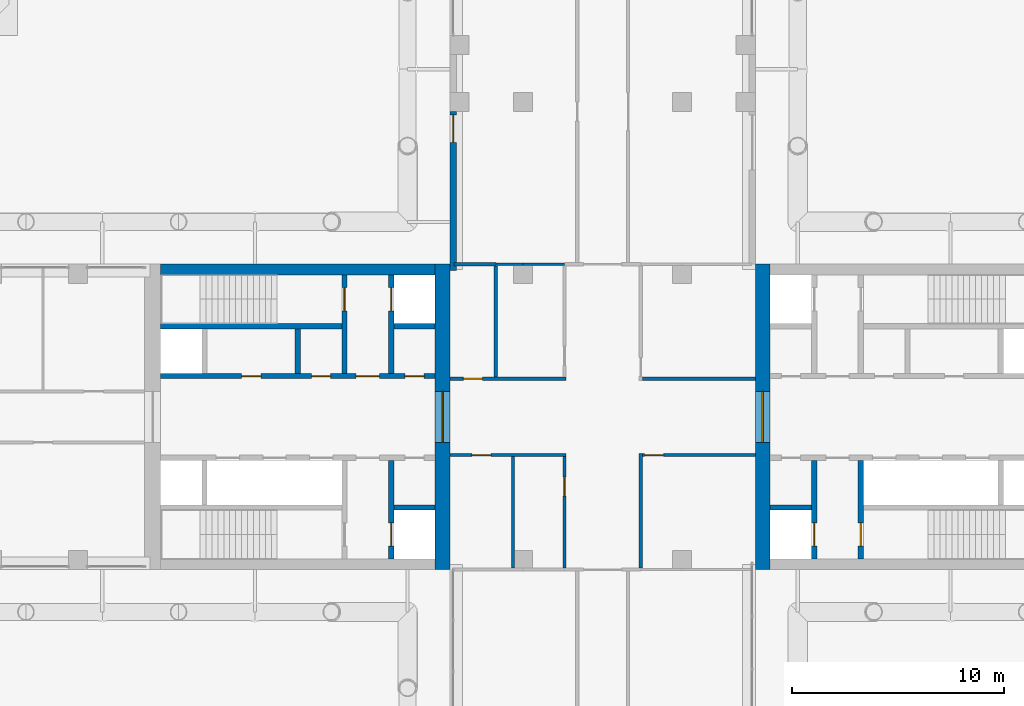
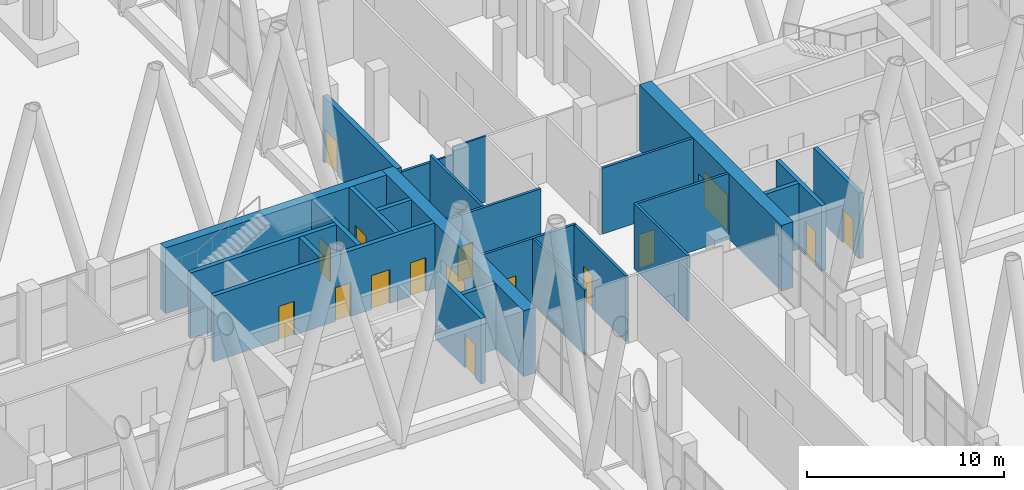
# One storey, part 21 of 31: 26 walls, 16 doors, 16 openings.
"""IFC4 building model written with IfcOpenShell, lengths in metres."""

from ifc_helpers import new_model, si_unit, direction, frame, frame_2d, origin, place, context, subcontext, project, spatial, rectangle, extrude, material, layer, layer_set, type_object, element, fill, save


model = new_model("IFC4")

# Units and contexts
model_context = context("Model", 3, precision=1e-05, world=origin(), true_north=direction((0.0, 1.0)))
body_context = subcontext(model_context, "Body", "Model", "MODEL_VIEW")
ifc_project = project(units=[si_unit("LENGTHUNIT", "METRE"), si_unit("AREAUNIT", "SQUARE_METRE"), si_unit("VOLUMEUNIT", "CUBIC_METRE"), si_unit("PLANEANGLEUNIT", "RADIAN"), si_unit("MASSUNIT", "GRAM", prefix="KILO")], contexts=[model_context])

# Site, building, storey
site_placement = place(None, origin())
site = spatial("IfcSite", under=ifc_project, at=site_placement, CompositionType="ELEMENT")
building_placement = place(site_placement, origin())
building = spatial("IfcBuilding", under=site, at=building_placement, Name="Fustian Cross Tower", CompositionType="ELEMENT")
storey_placement = place(building_placement, frame((0.0, 0.0, 7.199951171875)))
storey = spatial("IfcBuildingStorey", under=building, at=storey_placement, Name="L01", CompositionType="ELEMENT", Elevation=7.199951171875)

# Wall, opening, door
ifc_material_1 = material(Name="Plasterboard on steel stud", Category="steel")
ifc_layer_1 = layer(ifc_material_1, 0.14990234375)
ifc_layer_set_1 = layer_set([ifc_layer_1], Name="Plasterboard on steel stud")
wall_type_1 = type_object("IfcWallType", Name="COMPARTMENT WALL 150 EI 60", PredefinedType="PARTITIONING", material=ifc_layer_set_1)
wall_1_placement = place(storey_placement, frame((-7.199951171875, -1.800048828125, 0.0), z_axis=(0.0, 0.0, 1.0), x_axis=(1.0, 0.0, 0.0)))
wall_1 = element("IfcWall", 1, at=wall_1_placement, inside=storey, type_object=wall_type_1, Name="Partition 10", PredefinedType="PARTITIONING", context=body_context, shape_type="SweptSolid", body=[
    extrude(rectangle(XDim=5.474853515625, YDim=0.14990234375, at=frame_2d((2.7373046875, 0.0))), origin(), (0.0, 0.0, 1.0), 4.074951171875),
])
opening_1_placement = place(wall_1_placement, frame((1.034912109375, 0.0, 0.0)))
opening_1 = element("IfcOpeningElement", 2, at=opening_1_placement, cuts=wall_1, Name="Opening D03005", PredefinedType="OPENING", context=body_context, shape_type="SweptSolid", body=[
    extrude(rectangle(XDim=0.89990234375, YDim=2.10009765625, at=frame_2d((0.449951171875, 1.050048828125))), frame((0.0, 0.0849609375, 0.0), z_axis=(0.0, -1.0, 0.0), x_axis=(1.0, 0.0, 0.0)), (0.0, 0.0, 1.0), 0.169921875),
])
ifc_material_2 = material(Name="Timber fire door set", Category="wood")
door_type_1 = type_object("IfcDoorType", Name="FIRE SWING DOOR 900 FD30S", OperationType="SINGLE_SWING_LEFT", PredefinedType="DOOR", material=ifc_material_2)
door_1_placement = place(opening_1_placement, frame((0.89990234375, 0.0, 0.0), z_axis=(0.0, 0.0, 1.0), x_axis=(-1.0, 0.0, 0.0)))
door_1 = element("IfcDoor", 3, at=door_1_placement, inside=storey, type_object=door_type_1, Name="Door D03005", OperationType="SINGLE_SWING_LEFT", OverallHeight=2.10009765625, OverallWidth=0.89990234375, PredefinedType="DOOR", context=body_context, shape_type="SweptSolid", body=[
    extrude(rectangle(XDim=0.89990234375, YDim=2.10009765625, at=frame_2d((0.449951171875, 1.050048828125))), frame((0.0, 0.02490234375, 0.0), z_axis=(0.0, -1.0, 0.0), x_axis=(1.0, 0.0, 0.0)), (0.0, 0.0, 1.0), 0.050048828125),
])
fill(opening_1, door_1)

wall_2_placement = place(storey_placement, frame((-7.199951171875, 1.800048828125, 0.0), z_axis=(0.0, 0.0, 1.0), x_axis=(1.0, 0.0, 0.0)))
wall_2 = element("IfcWall", 4, at=wall_2_placement, inside=storey, type_object=wall_type_1, Name="Partition 11", PredefinedType="PARTITIONING", context=body_context, shape_type="SweptSolid", body=[
    extrude(rectangle(XDim=5.474853515625, YDim=0.14990234375, at=frame_2d((2.7373046875, 0.0))), origin(), (0.0, 0.0, 1.0), 4.074951171875),
])
opening_2_placement = place(wall_2_placement, frame((0.6298828125, 0.0, 0.0)))
opening_2 = element("IfcOpeningElement", 5, at=opening_2_placement, cuts=wall_2, Name="Opening D03003", PredefinedType="OPENING", context=body_context, shape_type="SweptSolid", body=[
    extrude(rectangle(XDim=0.89990234375, YDim=2.10009765625, at=frame_2d((0.449951171875, 1.050048828125))), frame((0.0, 0.0849609375, 0.0), z_axis=(0.0, -1.0, 0.0), x_axis=(1.0, 0.0, 0.0)), (0.0, 0.0, 1.0), 0.169921875),
])
door_2_placement = place(opening_2_placement, origin())
door_2 = element("IfcDoor", 6, at=door_2_placement, inside=storey, type_object=door_type_1, Name="Door D03003", OperationType="SINGLE_SWING_RIGHT", OverallHeight=2.10009765625, OverallWidth=0.89990234375, PredefinedType="DOOR", context=body_context, shape_type="SweptSolid", body=[
    extrude(rectangle(XDim=0.89990234375, YDim=2.10009765625, at=frame_2d((0.449951171875, 1.050048828125))), frame((0.0, 0.02490234375, 0.0), z_axis=(0.0, -1.0, 0.0), x_axis=(1.0, 0.0, 0.0)), (0.0, 0.0, 1.0), 0.050048828125),
])
fill(opening_2, door_2)

# Walls
wall_3_placement = place(storey_placement, frame((-7.02001953125, 7.199951171875, 0.0), z_axis=(0.0, 0.0, 1.0), x_axis=(1.0, 0.0, 0.0)))
element("IfcWall", 7, at=wall_3_placement, inside=storey, type_object=wall_type_1, Name="Partition 14", PredefinedType="PARTITIONING", context=body_context, shape_type="SweptSolid", body=[
    extrude(rectangle(XDim=1.97998046875, YDim=0.14990234375, at=frame_2d((0.989990234375, 0.0))), origin(), (0.0, 0.0, 1.0), 3.60009765625),
])
wall_4_placement = place(storey_placement, frame((-5.0400390625, 1.875, 0.0), z_axis=(0.0, 0.0, 1.0), x_axis=(0.0, 1.0, 0.0)))
element("IfcWall", 8, at=wall_4_placement, inside=storey, type_object=wall_type_1, Name="Partition 17", PredefinedType="PARTITIONING", context=body_context, shape_type="SweptSolid", body=[
    extrude(rectangle(XDim=5.25, YDim=0.14990234375, at=frame_2d((2.625, 0.0))), origin(), (0.0, 0.0, 1.0), 4.074951171875),
])

# Wall, opening, door
wall_5_placement = place(storey_placement, frame((-1.800048828125, -7.125, 0.0), z_axis=(0.0, 0.0, 1.0), x_axis=(0.0, 1.0, 0.0)))
wall_5 = element("IfcWall", 9, at=wall_5_placement, inside=storey, type_object=wall_type_1, Name="Partition 20", PredefinedType="PARTITIONING", context=body_context, shape_type="SweptSolid", body=[
    extrude(rectangle(XDim=5.25, YDim=0.14990234375, at=frame_2d((2.625, 0.0))), origin(), (0.0, 0.0, 1.0), 4.074951171875),
])
opening_3_placement = place(wall_5_placement, frame((3.389892578125, 0.0, 0.0)))
opening_3 = element("IfcOpeningElement", 10, at=opening_3_placement, cuts=wall_5, Name="Opening D03004", PredefinedType="OPENING", context=body_context, shape_type="SweptSolid", body=[
    extrude(rectangle(XDim=0.89990234375, YDim=2.10009765625, at=frame_2d((0.449951171875, 1.050048828125))), frame((0.0, 0.0849609375, 0.0), z_axis=(0.0, -1.0, 0.0), x_axis=(1.0, 0.0, 0.0)), (0.0, 0.0, 1.0), 0.169921875),
])
door_3_placement = place(opening_3_placement, origin())
door_3 = element("IfcDoor", 11, at=door_3_placement, inside=storey, type_object=door_type_1, Name="Door D03004", OperationType="SINGLE_SWING_RIGHT", OverallHeight=2.10009765625, OverallWidth=0.89990234375, PredefinedType="DOOR", context=body_context, shape_type="SweptSolid", body=[
    extrude(rectangle(XDim=0.89990234375, YDim=2.10009765625, at=frame_2d((0.449951171875, 1.050048828125))), frame((0.0, 0.02490234375, 0.0), z_axis=(0.0, -1.0, 0.0), x_axis=(1.0, 0.0, 0.0)), (0.0, 0.0, 1.0), 0.050048828125),
])
fill(opening_3, door_3)

# Wall
wall_6_placement = place(storey_placement, frame((1.800048828125, -7.125, 0.0), z_axis=(0.0, 0.0, 1.0), x_axis=(0.0, 1.0, 0.0)))
element("IfcWall", 12, at=wall_6_placement, inside=storey, type_object=wall_type_1, Name="Partition 31", PredefinedType="PARTITIONING", context=body_context, shape_type="SweptSolid", body=[
    extrude(rectangle(XDim=5.39990234375, YDim=0.14990234375, at=frame_2d((2.699951171875, 0.0))), origin(), (0.0, 0.0, 1.0), 4.074951171875),
])

# Wall, opening, door
wall_7_placement = place(storey_placement, frame((1.875, -1.800048828125, 0.0), z_axis=(0.0, 0.0, 1.0), x_axis=(1.0, 0.0, 0.0)))
wall_7 = element("IfcWall", 13, at=wall_7_placement, inside=storey, type_object=wall_type_1, Name="Partition 33", PredefinedType="PARTITIONING", context=body_context, shape_type="SweptSolid", body=[
    extrude(rectangle(XDim=5.324951171875, YDim=0.14990234375, at=frame_2d((2.66259765625, 0.0))), origin(), (0.0, 0.0, 1.0), 4.074951171875),
])
opening_4_placement = place(wall_7_placement, frame((0.10009765625, 0.0, 0.0)))
opening_4 = element("IfcOpeningElement", 14, at=opening_4_placement, cuts=wall_7, Name="Opening D03006", PredefinedType="OPENING", context=body_context, shape_type="SweptSolid", body=[
    extrude(rectangle(XDim=0.89990234375, YDim=2.10009765625, at=frame_2d((0.449951171875, 1.050048828125))), frame((0.0, 0.0849609375, 0.0), z_axis=(0.0, -1.0, 0.0), x_axis=(1.0, 0.0, 0.0)), (0.0, 0.0, 1.0), 0.169921875),
])
door_4_placement = place(opening_4_placement, frame((0.89990234375, 0.0, 0.0), z_axis=(0.0, 0.0, 1.0), x_axis=(-1.0, 0.0, 0.0)))
door_4 = element("IfcDoor", 15, at=door_4_placement, inside=storey, type_object=door_type_1, Name="Door D03006", OperationType="SINGLE_SWING_RIGHT", OverallHeight=2.10009765625, OverallWidth=0.89990234375, PredefinedType="DOOR", context=body_context, shape_type="SweptSolid", body=[
    extrude(rectangle(XDim=0.89990234375, YDim=2.10009765625, at=frame_2d((0.449951171875, 1.050048828125))), frame((0.0, 0.02490234375, 0.0), z_axis=(0.0, -1.0, 0.0), x_axis=(1.0, 0.0, 0.0)), (0.0, 0.0, 1.0), 0.050048828125),
])
fill(opening_4, door_4)

# Wall
wall_8_placement = place(storey_placement, frame((1.875, 1.800048828125, 0.0), z_axis=(0.0, 0.0, 1.0), x_axis=(1.0, 0.0, 0.0)))
element("IfcWall", 16, at=wall_8_placement, inside=storey, type_object=wall_type_1, Name="Partition 35", PredefinedType="PARTITIONING", context=body_context, shape_type="SweptSolid", body=[
    extrude(rectangle(XDim=5.324951171875, YDim=0.14990234375, at=frame_2d((2.66259765625, 0.0))), origin(), (0.0, 0.0, 1.0), 4.074951171875),
])

# Wall, opening, door
ifc_material_3 = material(Name="Concrete C80/95", Category="concrete")
ifc_layer_2 = layer(ifc_material_3, 0.699951171875)
ifc_layer_set_2 = layer_set([ifc_layer_2], Name="Concrete C80/95")
wall_type_2 = type_object("IfcWallType", Name="CORE END WALL 700 C80/95", PredefinedType="SHEAR", material=ifc_layer_set_2)
wall_9_placement = place(storey_placement, frame((7.550048828125, -7.199951171875, 0.0), z_axis=(0.0, 0.0, 1.0), x_axis=(0.0, 1.0, 0.0)))
wall_9 = element("IfcWall", 17, at=wall_9_placement, inside=storey, type_object=wall_type_2, Name="Core end wall", PredefinedType="SHEAR", context=body_context, shape_type="SweptSolid", body=[
    extrude(rectangle(XDim=14.39990234375, YDim=0.699951171875, at=frame_2d((7.199951171875, 0.0))), origin(), (0.0, 0.0, 1.0), 4.074951171875),
])
opening_5_placement = place(wall_9_placement, frame((6.0, 0.0, 0.0)))
opening_5 = element("IfcOpeningElement", 18, at=opening_5_placement, cuts=wall_9, Name="Opening CD-03-12", PredefinedType="OPENING", context=body_context, shape_type="SweptSolid", body=[
    extrude(rectangle(XDim=2.39990234375, YDim=2.199951171875, at=frame_2d((1.199951171875, 1.10009765625))), frame((0.0, 0.35986328125, 0.0), z_axis=(0.0, -1.0, 0.0), x_axis=(1.0, 0.0, 0.0)), (0.0, 0.0, 1.0), 0.719970703125),
])
ifc_material_4 = material(Name="Steel", Category="steel")
door_type_2 = type_object("IfcDoorType", Name="FIRE DOOR FD30S DOUBLE 2400X2200", OperationType="DOUBLE_DOOR_DOUBLE_SWING", PredefinedType="DOOR", material=ifc_material_4)
door_5_placement = place(opening_5_placement, origin())
door_5 = element("IfcDoor", 19, at=door_5_placement, inside=storey, type_object=door_type_2, Name="Core door CD-03-12", OperationType="DOUBLE_DOOR_DOUBLE_SWING", OverallHeight=2.199951171875, OverallWidth=2.39990234375, PredefinedType="DOOR", context=body_context, shape_type="SweptSolid", body=[
    extrude(rectangle(XDim=2.39990234375, YDim=2.199951171875, at=frame_2d((1.199951171875, 1.10009765625))), frame((0.0, 0.02490234375, 0.0), z_axis=(0.0, -1.0, 0.0), x_axis=(1.0, 0.0, 0.0)), (0.0, 0.0, 1.0), 0.050048828125),
])
fill(opening_5, door_5)

wall_10_placement = place(storey_placement, frame((-7.550048828125, -7.199951171875, 0.0), z_axis=(0.0, 0.0, 1.0), x_axis=(0.0, 1.0, 0.0)))
wall_10 = element("IfcWall", 20, at=wall_10_placement, inside=storey, type_object=wall_type_2, Name="Core end wall", PredefinedType="SHEAR", context=body_context, shape_type="SweptSolid", body=[
    extrude(rectangle(XDim=14.39990234375, YDim=0.699951171875, at=frame_2d((7.199951171875, 0.0))), origin(), (0.0, 0.0, 1.0), 4.074951171875),
])
opening_6_placement = place(wall_10_placement, frame((6.0, 0.0, 0.0)))
opening_6 = element("IfcOpeningElement", 21, at=opening_6_placement, cuts=wall_10, Name="Opening CD-03-27", PredefinedType="OPENING", context=body_context, shape_type="SweptSolid", body=[
    extrude(rectangle(XDim=2.39990234375, YDim=2.199951171875, at=frame_2d((1.199951171875, 1.10009765625))), frame((0.0, 0.35986328125, 0.0), z_axis=(0.0, -1.0, 0.0), x_axis=(1.0, 0.0, 0.0)), (0.0, 0.0, 1.0), 0.719970703125),
])
door_6_placement = place(opening_6_placement, origin())
door_6 = element("IfcDoor", 22, at=door_6_placement, inside=storey, type_object=door_type_2, Name="Core door CD-03-27", OperationType="DOUBLE_DOOR_DOUBLE_SWING", OverallHeight=2.199951171875, OverallWidth=2.39990234375, PredefinedType="DOOR", context=body_context, shape_type="SweptSolid", body=[
    extrude(rectangle(XDim=2.39990234375, YDim=2.199951171875, at=frame_2d((1.199951171875, 1.10009765625))), frame((0.0, 0.02490234375, 0.0), z_axis=(0.0, -1.0, 0.0), x_axis=(1.0, 0.0, 0.0)), (0.0, 0.0, 1.0), 0.050048828125),
])
fill(opening_6, door_6)

# Wall
ifc_material_5 = material(Name="Concrete C80/95", Category="concrete")
ifc_layer_3 = layer(ifc_material_5, 0.5)
ifc_layer_set_3 = layer_set([ifc_layer_3], Name="Concrete C80/95")
wall_type_3 = type_object("IfcWallType", Name="CORE FACADE WALL 500 C80/95", PredefinedType="SHEAR", material=ifc_layer_set_3)
wall_11_placement = place(storey_placement, frame((-7.89990234375, 6.949951171875, 0.0), z_axis=(0.0, 0.0, 1.0), x_axis=(-1.0, 0.0, 0.0)))
element("IfcWall", 23, at=wall_11_placement, inside=storey, type_object=wall_type_3, Name="Core facade wall", PredefinedType="SHEAR", context=body_context, shape_type="SweptSolid", body=[
    extrude(rectangle(XDim=12.9501953125, YDim=0.5, at=frame_2d((6.47509765625, 0.0))), origin(), (0.0, 0.0, 1.0), 4.074951171875),
])

# Wall, openings, doors
ifc_material_6 = material(Name="Concrete C50/60", Category="concrete")
ifc_layer_4 = layer(ifc_material_6, 0.25)
ifc_layer_set_4 = layer_set([ifc_layer_4], Name="Concrete C50/60")
wall_type_4 = type_object("IfcWallType", Name="CORE LOBBY WALL 250 C50/60", PredefinedType="SHEAR", material=ifc_layer_set_4)
wall_12_placement = place(storey_placement, frame((-7.89990234375, 1.925048828125, 0.0), z_axis=(0.0, 0.0, 1.0), x_axis=(-1.0, 0.0, 0.0)))
wall_12 = element("IfcWall", 24, at=wall_12_placement, inside=storey, type_object=wall_type_4, Name="Core lobby wall", PredefinedType="SHEAR", context=body_context, shape_type="SweptSolid", body=[
    extrude(rectangle(XDim=12.9501953125, YDim=0.25, at=frame_2d((6.47509765625, 0.0))), origin(), (0.0, 0.0, 1.0), 4.074951171875),
])
opening_7_placement = place(wall_12_placement, frame((0.52490234375, 0.0, 0.0)))
opening_7 = element("IfcOpeningElement", 25, at=opening_7_placement, cuts=wall_12, Name="Opening CD-03-23", PredefinedType="OPENING", context=body_context, shape_type="SweptSolid", body=[
    extrude(rectangle(XDim=0.89990234375, YDim=2.10009765625, at=frame_2d((0.449951171875, 1.050048828125))), frame((0.0, 0.135009765625, 0.0), z_axis=(0.0, -1.0, 0.0), x_axis=(1.0, 0.0, 0.0)), (0.0, 0.0, 1.0), 0.27001953125),
])
opening_8_placement = place(wall_12_placement, frame((2.625, 0.0, 0.0)))
opening_8 = element("IfcOpeningElement", 26, at=opening_8_placement, cuts=wall_12, Name="Opening CD-03-25", PredefinedType="OPENING", context=body_context, shape_type="SweptSolid", body=[
    extrude(rectangle(XDim=1.10009765625, YDim=2.10009765625, at=frame_2d((0.550048828125, 1.050048828125))), frame((0.0, 0.135009765625, 0.0), z_axis=(0.0, -1.0, 0.0), x_axis=(1.0, 0.0, 0.0)), (0.0, 0.0, 1.0), 0.27001953125),
])
opening_9_placement = place(wall_12_placement, frame((4.925048828125, 0.0, 0.0)))
opening_9 = element("IfcOpeningElement", 27, at=opening_9_placement, cuts=wall_12, Name="Opening CD-03-29", PredefinedType="OPENING", context=body_context, shape_type="SweptSolid", body=[
    extrude(rectangle(XDim=0.89990234375, YDim=2.10009765625, at=frame_2d((0.449951171875, 1.050048828125))), frame((0.0, 0.135009765625, 0.0), z_axis=(0.0, -1.0, 0.0), x_axis=(1.0, 0.0, 0.0)), (0.0, 0.0, 1.0), 0.27001953125),
])
opening_10_placement = place(wall_12_placement, frame((8.22509765625, 0.0, 0.0)))
opening_10 = element("IfcOpeningElement", 28, at=opening_10_placement, cuts=wall_12, Name="Opening CD-03-30", PredefinedType="OPENING", context=body_context, shape_type="SweptSolid", body=[
    extrude(rectangle(XDim=0.89990234375, YDim=2.10009765625, at=frame_2d((0.449951171875, 1.050048828125))), frame((0.0, 0.135009765625, 0.0), z_axis=(0.0, -1.0, 0.0), x_axis=(1.0, 0.0, 0.0)), (0.0, 0.0, 1.0), 0.27001953125),
])
ifc_material_7 = material(Name="Steel", Category="steel")
door_type_3 = type_object("IfcDoorType", Name="FIRE DOOR FD30S 900X2100", OperationType="SINGLE_SWING_LEFT", PredefinedType="DOOR", material=ifc_material_7)
door_7_placement = place(opening_9_placement, frame((0.89990234375, 0.0, 0.0), z_axis=(0.0, 0.0, 1.0), x_axis=(-1.0, 0.0, 0.0)))
door_7 = element("IfcDoor", 29, at=door_7_placement, inside=storey, type_object=door_type_3, Name="Core door CD-03-29", OperationType="SINGLE_SWING_RIGHT", OverallHeight=2.10009765625, OverallWidth=0.89990234375, PredefinedType="DOOR", context=body_context, shape_type="SweptSolid", body=[
    extrude(rectangle(XDim=0.89990234375, YDim=2.10009765625, at=frame_2d((0.449951171875, 1.050048828125))), frame((0.0, 0.02490234375, 0.0), z_axis=(0.0, -1.0, 0.0), x_axis=(1.0, 0.0, 0.0)), (0.0, 0.0, 1.0), 0.050048828125),
])
fill(opening_9, door_7)
door_8_placement = place(opening_10_placement, frame((0.89990234375, 0.0, 0.0), z_axis=(0.0, 0.0, 1.0), x_axis=(-1.0, 0.0, 0.0)))
door_8 = element("IfcDoor", 30, at=door_8_placement, inside=storey, type_object=door_type_3, Name="Core door CD-03-30", OperationType="SINGLE_SWING_LEFT", OverallHeight=2.10009765625, OverallWidth=0.89990234375, PredefinedType="DOOR", context=body_context, shape_type="SweptSolid", body=[
    extrude(rectangle(XDim=0.89990234375, YDim=2.10009765625, at=frame_2d((0.449951171875, 1.050048828125))), frame((0.0, 0.02490234375, 0.0), z_axis=(0.0, -1.0, 0.0), x_axis=(1.0, 0.0, 0.0)), (0.0, 0.0, 1.0), 0.050048828125),
])
fill(opening_10, door_8)
ifc_material_8 = material(Name="Steel", Category="steel")
door_type_4 = type_object("IfcDoorType", Name="FIRE DOOR FD60S 1100X2100", OperationType="SINGLE_SWING_LEFT", PredefinedType="DOOR", material=ifc_material_8)
door_9_placement = place(opening_8_placement, frame((1.10009765625, 0.0, 0.0), z_axis=(0.0, 0.0, 1.0), x_axis=(-1.0, 0.0, 0.0)))
door_9 = element("IfcDoor", 31, at=door_9_placement, inside=storey, type_object=door_type_4, Name="Core door CD-03-25", OperationType="SINGLE_SWING_RIGHT", OverallHeight=2.10009765625, OverallWidth=1.10009765625, PredefinedType="DOOR", context=body_context, shape_type="SweptSolid", body=[
    extrude(rectangle(XDim=1.10009765625, YDim=2.10009765625, at=frame_2d((0.550048828125, 1.050048828125))), frame((0.0, 0.02490234375, 0.0), z_axis=(0.0, -1.0, 0.0), x_axis=(1.0, 0.0, 0.0)), (0.0, 0.0, 1.0), 0.050048828125),
])
fill(opening_8, door_9)
ifc_material_9 = material(Name="Steel", Category="steel")
door_type_5 = type_object("IfcDoorType", Name="FIRE DOOR FD60S 900X2100", OperationType="SINGLE_SWING_LEFT", PredefinedType="DOOR", material=ifc_material_9)
door_10_placement = place(opening_7_placement, frame((0.89990234375, 0.0, 0.0), z_axis=(0.0, 0.0, 1.0), x_axis=(-1.0, 0.0, 0.0)))
door_10 = element("IfcDoor", 32, at=door_10_placement, inside=storey, type_object=door_type_5, Name="Core door CD-03-23", OperationType="SINGLE_SWING_RIGHT", OverallHeight=2.10009765625, OverallWidth=0.89990234375, PredefinedType="DOOR", context=body_context, shape_type="SweptSolid", body=[
    extrude(rectangle(XDim=0.89990234375, YDim=2.10009765625, at=frame_2d((0.449951171875, 1.050048828125))), frame((0.0, 0.02490234375, 0.0), z_axis=(0.0, -1.0, 0.0), x_axis=(1.0, 0.0, 0.0)), (0.0, 0.0, 1.0), 0.050048828125),
])
fill(opening_7, door_10)

# Wall
ifc_material_10 = material(Name="Concrete C50/60", Category="concrete")
ifc_layer_5 = layer(ifc_material_10, 0.25)
ifc_layer_set_5 = layer_set([ifc_layer_5], Name="Concrete C50/60")
wall_type_5 = type_object("IfcWallType", Name="CORE SHAFT WALL 250 C50/60", PredefinedType="SHEAR", material=ifc_layer_set_5)
wall_13_placement = place(storey_placement, frame((7.89990234375, -4.27490234375, 0.0), z_axis=(0.0, 0.0, 1.0), x_axis=(1.0, 0.0, 0.0)))
element("IfcWall", 33, at=wall_13_placement, inside=storey, type_object=wall_type_5, Name="Core shaft wall", PredefinedType="SHEAR", context=body_context, shape_type="SweptSolid", body=[
    extrude(rectangle(XDim=1.9501953125, YDim=0.25, at=frame_2d((0.97509765625, 0.0))), origin(), (0.0, 0.0, 1.0), 4.074951171875),
])

# Wall, opening, door
wall_14_placement = place(storey_placement, frame((9.97509765625, -2.050048828125, 0.0), z_axis=(0.0, 0.0, 1.0), x_axis=(0.0, -1.0, 0.0)))
wall_14 = element("IfcWall", 34, at=wall_14_placement, inside=storey, type_object=wall_type_5, Name="Core shaft wall", PredefinedType="SHEAR", context=body_context, shape_type="SweptSolid", body=[
    extrude(rectangle(XDim=4.64990234375, YDim=0.25, at=frame_2d((2.324951171875, 0.0))), origin(), (0.0, 0.0, 1.0), 4.074951171875),
])
opening_11_placement = place(wall_14_placement, frame((2.949951171875, 0.0, 0.0)))
opening_11 = element("IfcOpeningElement", 35, at=opening_11_placement, cuts=wall_14, Name="Opening LD", PredefinedType="OPENING", context=body_context, shape_type="SweptSolid", body=[
    extrude(rectangle(XDim=1.10009765625, YDim=2.10009765625, at=frame_2d((0.550048828125, 1.050048828125))), frame((0.0, 0.135009765625, 0.0), z_axis=(0.0, -1.0, 0.0), x_axis=(1.0, 0.0, 0.0)), (0.0, 0.0, 1.0), 0.27001953125),
])
ifc_material_11 = material(Name="Stainless steel", Category="steel")
door_type_6 = type_object("IfcDoorType", Name="LIFT LANDING DOOR 1100X2100", OperationType="SLIDING_TO_LEFT", PredefinedType="DOOR", material=ifc_material_11)
door_11_placement = place(opening_11_placement, origin())
door_11 = element("IfcDoor", 36, at=door_11_placement, inside=storey, type_object=door_type_6, Name="Landing door SV1", OperationType="SLIDING_TO_LEFT", OverallHeight=2.10009765625, OverallWidth=1.10009765625, PredefinedType="DOOR", context=body_context, shape_type="SweptSolid", body=[
    extrude(rectangle(XDim=1.10009765625, YDim=2.10009765625, at=frame_2d((0.550048828125, 1.050048828125))), frame((0.0, 0.02490234375, 0.0), z_axis=(0.0, -1.0, 0.0), x_axis=(1.0, 0.0, 0.0)), (0.0, 0.0, 1.0), 0.050048828125),
])
fill(opening_11, door_11)

wall_15_placement = place(storey_placement, frame((12.175048828125, -2.050048828125, 0.0), z_axis=(0.0, 0.0, 1.0), x_axis=(0.0, -1.0, 0.0)))
wall_15 = element("IfcWall", 37, at=wall_15_placement, inside=storey, type_object=wall_type_5, Name="Core shaft wall", PredefinedType="SHEAR", context=body_context, shape_type="SweptSolid", body=[
    extrude(rectangle(XDim=4.64990234375, YDim=0.25, at=frame_2d((2.324951171875, 0.0))), origin(), (0.0, 0.0, 1.0), 4.074951171875),
])
opening_12_placement = place(wall_15_placement, frame((2.949951171875, 0.0, 0.0)))
opening_12 = element("IfcOpeningElement", 38, at=opening_12_placement, cuts=wall_15, Name="Opening CD-03-07", PredefinedType="OPENING", context=body_context, shape_type="SweptSolid", body=[
    extrude(rectangle(XDim=1.10009765625, YDim=2.10009765625, at=frame_2d((0.550048828125, 1.050048828125))), frame((0.0, 0.135009765625, 0.0), z_axis=(0.0, -1.0, 0.0), x_axis=(1.0, 0.0, 0.0)), (0.0, 0.0, 1.0), 0.27001953125),
])
door_12_placement = place(opening_12_placement, origin())
door_12 = element("IfcDoor", 39, at=door_12_placement, inside=storey, type_object=door_type_4, Name="Core door CD-03-07", OperationType="SINGLE_SWING_LEFT", OverallHeight=2.10009765625, OverallWidth=1.10009765625, PredefinedType="DOOR", context=body_context, shape_type="SweptSolid", body=[
    extrude(rectangle(XDim=1.10009765625, YDim=2.10009765625, at=frame_2d((0.550048828125, 1.050048828125))), frame((0.0, 0.02490234375, 0.0), z_axis=(0.0, -1.0, 0.0), x_axis=(1.0, 0.0, 0.0)), (0.0, 0.0, 1.0), 0.050048828125),
])
fill(opening_12, door_12)

# Walls
wall_16_placement = place(storey_placement, frame((-7.89990234375, 4.27490234375, 0.0), z_axis=(0.0, 0.0, 1.0), x_axis=(-1.0, 0.0, 0.0)))
element("IfcWall", 40, at=wall_16_placement, inside=storey, type_object=wall_type_5, Name="Core shaft wall", PredefinedType="SHEAR", context=body_context, shape_type="SweptSolid", body=[
    extrude(rectangle(XDim=1.9501953125, YDim=0.25, at=frame_2d((0.97509765625, 0.0))), origin(), (0.0, 0.0, 1.0), 4.074951171875),
])
wall_17_placement = place(storey_placement, frame((-12.300048828125, 4.27490234375, 0.0), z_axis=(0.0, 0.0, 1.0), x_axis=(-1.0, 0.0, 0.0)))
element("IfcWall", 41, at=wall_17_placement, inside=storey, type_object=wall_type_5, Name="Core shaft wall", PredefinedType="SHEAR", context=body_context, shape_type="SweptSolid", body=[
    extrude(rectangle(XDim=8.550048828125, YDim=0.25, at=frame_2d((4.27490234375, 0.0))), origin(), (0.0, 0.0, 1.0), 4.074951171875),
])

# Wall, opening, door
wall_18_placement = place(storey_placement, frame((-9.97509765625, 2.050048828125, 0.0), z_axis=(0.0, 0.0, 1.0), x_axis=(0.0, 1.0, 0.0)))
wall_18 = element("IfcWall", 42, at=wall_18_placement, inside=storey, type_object=wall_type_5, Name="Core shaft wall", PredefinedType="SHEAR", context=body_context, shape_type="SweptSolid", body=[
    extrude(rectangle(XDim=4.64990234375, YDim=0.25, at=frame_2d((2.324951171875, 0.0))), origin(), (0.0, 0.0, 1.0), 4.074951171875),
])
opening_13_placement = place(wall_18_placement, frame((2.949951171875, 0.0, 0.0)))
opening_13 = element("IfcOpeningElement", 43, at=opening_13_placement, cuts=wall_18, Name="Opening LD", PredefinedType="OPENING", context=body_context, shape_type="SweptSolid", body=[
    extrude(rectangle(XDim=1.10009765625, YDim=2.10009765625, at=frame_2d((0.550048828125, 1.050048828125))), frame((0.0, 0.135009765625, 0.0), z_axis=(0.0, -1.0, 0.0), x_axis=(1.0, 0.0, 0.0)), (0.0, 0.0, 1.0), 0.27001953125),
])
door_13_placement = place(opening_13_placement, origin())
door_13 = element("IfcDoor", 44, at=door_13_placement, inside=storey, type_object=door_type_6, Name="Landing door FL1W", OperationType="SLIDING_TO_LEFT", OverallHeight=2.10009765625, OverallWidth=1.10009765625, PredefinedType="DOOR", context=body_context, shape_type="SweptSolid", body=[
    extrude(rectangle(XDim=1.10009765625, YDim=2.10009765625, at=frame_2d((0.550048828125, 1.050048828125))), frame((0.0, 0.02490234375, 0.0), z_axis=(0.0, -1.0, 0.0), x_axis=(1.0, 0.0, 0.0)), (0.0, 0.0, 1.0), 0.050048828125),
])
fill(opening_13, door_13)

wall_19_placement = place(storey_placement, frame((-12.175048828125, 2.050048828125, 0.0), z_axis=(0.0, 0.0, 1.0), x_axis=(0.0, 1.0, 0.0)))
wall_19 = element("IfcWall", 45, at=wall_19_placement, inside=storey, type_object=wall_type_5, Name="Core shaft wall", PredefinedType="SHEAR", context=body_context, shape_type="SweptSolid", body=[
    extrude(rectangle(XDim=4.64990234375, YDim=0.25, at=frame_2d((2.324951171875, 0.0))), origin(), (0.0, 0.0, 1.0), 4.074951171875),
])
opening_14_placement = place(wall_19_placement, frame((2.949951171875, 0.0, 0.0)))
opening_14 = element("IfcOpeningElement", 46, at=opening_14_placement, cuts=wall_19, Name="Opening CD-03-21", PredefinedType="OPENING", context=body_context, shape_type="SweptSolid", body=[
    extrude(rectangle(XDim=1.10009765625, YDim=2.10009765625, at=frame_2d((0.550048828125, 1.050048828125))), frame((0.0, 0.135009765625, 0.0), z_axis=(0.0, -1.0, 0.0), x_axis=(1.0, 0.0, 0.0)), (0.0, 0.0, 1.0), 0.27001953125),
])
door_14_placement = place(opening_14_placement, origin())
door_14 = element("IfcDoor", 47, at=door_14_placement, inside=storey, type_object=door_type_4, Name="Core door CD-03-21", OperationType="SINGLE_SWING_LEFT", OverallHeight=2.10009765625, OverallWidth=1.10009765625, PredefinedType="DOOR", context=body_context, shape_type="SweptSolid", body=[
    extrude(rectangle(XDim=1.10009765625, YDim=2.10009765625, at=frame_2d((0.550048828125, 1.050048828125))), frame((0.0, 0.02490234375, 0.0), z_axis=(0.0, -1.0, 0.0), x_axis=(1.0, 0.0, 0.0)), (0.0, 0.0, 1.0), 0.050048828125),
])
fill(opening_14, door_14)

# Wall
wall_20_placement = place(storey_placement, frame((-7.89990234375, -4.27490234375, 0.0), z_axis=(0.0, 0.0, 1.0), x_axis=(-1.0, 0.0, 0.0)))
element("IfcWall", 48, at=wall_20_placement, inside=storey, type_object=wall_type_5, Name="Core shaft wall", PredefinedType="SHEAR", context=body_context, shape_type="SweptSolid", body=[
    extrude(rectangle(XDim=1.9501953125, YDim=0.25, at=frame_2d((0.97509765625, 0.0))), origin(), (0.0, 0.0, 1.0), 4.074951171875),
])

# Wall, opening, door
wall_21_placement = place(storey_placement, frame((-9.97509765625, -2.050048828125, 0.0), z_axis=(0.0, 0.0, 1.0), x_axis=(0.0, -1.0, 0.0)))
wall_21 = element("IfcWall", 49, at=wall_21_placement, inside=storey, type_object=wall_type_5, Name="Core shaft wall", PredefinedType="SHEAR", context=body_context, shape_type="SweptSolid", body=[
    extrude(rectangle(XDim=4.64990234375, YDim=0.25, at=frame_2d((2.324951171875, 0.0))), origin(), (0.0, 0.0, 1.0), 4.074951171875),
])
opening_15_placement = place(wall_21_placement, frame((2.949951171875, 0.0, 0.0)))
opening_15 = element("IfcOpeningElement", 50, at=opening_15_placement, cuts=wall_21, Name="Opening LD", PredefinedType="OPENING", context=body_context, shape_type="SweptSolid", body=[
    extrude(rectangle(XDim=1.10009765625, YDim=2.10009765625, at=frame_2d((0.550048828125, 1.050048828125))), frame((0.0, 0.135009765625, 0.0), z_axis=(0.0, -1.0, 0.0), x_axis=(1.0, 0.0, 0.0)), (0.0, 0.0, 1.0), 0.27001953125),
])
door_15_placement = place(opening_15_placement, origin())
door_15 = element("IfcDoor", 51, at=door_15_placement, inside=storey, type_object=door_type_6, Name="Landing door SV1W", OperationType="SLIDING_TO_LEFT", OverallHeight=2.10009765625, OverallWidth=1.10009765625, PredefinedType="DOOR", context=body_context, shape_type="SweptSolid", body=[
    extrude(rectangle(XDim=1.10009765625, YDim=2.10009765625, at=frame_2d((0.550048828125, 1.050048828125))), frame((0.0, 0.02490234375, 0.0), z_axis=(0.0, -1.0, 0.0), x_axis=(1.0, 0.0, 0.0)), (0.0, 0.0, 1.0), 0.050048828125),
])
fill(opening_15, door_15)

ifc_material_12 = material(Name="Dark rainscreen cladding on blockwork", Category="masonry")
ifc_layer_6 = layer(ifc_material_12, 0.300048828125)
ifc_layer_set_6 = layer_set([ifc_layer_6], Name="Dark rainscreen cladding on blockwork")
wall_type_6 = type_object("IfcWallType", Name="EXTERNAL WALL 300 CLADDING", PredefinedType="SOLIDWALL", material=ifc_layer_set_6)
wall_22_placement = place(storey_placement, frame((-7.050048828125, 14.39990234375, 0.0), z_axis=(0.0, 0.0, 1.0), x_axis=(0.0, -1.0, 0.0)))
wall_22 = element("IfcWall", 52, at=wall_22_placement, inside=storey, type_object=wall_type_6, Name="Garden-level wall N235", PredefinedType="SOLIDWALL", context=body_context, shape_type="SweptSolid", body=[
    extrude(rectangle(XDim=7.5, YDim=0.300048828125, at=frame_2d((3.75, 0.0))), origin(), (0.0, 0.0, 1.0), 4.074951171875),
])
opening_16_placement = place(wall_22_placement, frame((0.14990234375, 0.0, 0.0)))
opening_16 = element("IfcOpeningElement", 53, at=opening_16_placement, cuts=wall_22, Name="Opening EDG02", PredefinedType="OPENING", context=body_context, shape_type="SweptSolid", body=[
    extrude(rectangle(XDim=1.300048828125, YDim=2.10009765625, at=frame_2d((0.64990234375, 1.050048828125))), frame((0.0, 0.159912109375, 0.0), z_axis=(0.0, -1.0, 0.0), x_axis=(1.0, 0.0, 0.0)), (0.0, 0.0, 1.0), 0.320068359375),
])
ifc_material_13 = material(Name="Aluminium and glass", Category="aluminium")
door_type_7 = type_object("IfcDoorType", Name="EXIT DOOR 1300", OperationType="SINGLE_SWING_LEFT", PredefinedType="DOOR", material=ifc_material_13)
door_16_placement = place(opening_16_placement, frame((1.300048828125, 0.0, 0.0), z_axis=(0.0, 0.0, 1.0), x_axis=(-1.0, 0.0, 0.0)))
door_16 = element("IfcDoor", 54, at=door_16_placement, inside=storey, type_object=door_type_7, Name="Garden door 2", OperationType="SINGLE_SWING_LEFT", OverallHeight=2.10009765625, OverallWidth=1.300048828125, PredefinedType="DOOR", context=body_context, shape_type="SweptSolid", body=[
    extrude(rectangle(XDim=1.300048828125, YDim=2.10009765625, at=frame_2d((0.64990234375, 1.050048828125))), frame((0.0, 0.02490234375, 0.0), z_axis=(0.0, -1.0, 0.0), x_axis=(1.0, 0.0, 0.0)), (0.0, 0.0, 1.0), 0.050048828125),
])
fill(opening_16, door_16)

# Walls
ifc_material_14 = material(Name="Plasterboard on steel stud", Category="steel")
ifc_layer_7 = layer(ifc_material_14, 0.10009765625)
ifc_layer_set_7 = layer_set([ifc_layer_7], Name="Plasterboard on steel stud")
wall_type_7 = type_object("IfcWallType", Name="PARTITION 100 STUD", PredefinedType="PARTITIONING", material=ifc_layer_set_7)
wall_23_placement = place(storey_placement, frame((-5.0400390625, 7.199951171875, 0.0), z_axis=(0.0, 0.0, 1.0), x_axis=(1.0, 0.0, 0.0)))
element("IfcWall", 55, at=wall_23_placement, inside=storey, type_object=wall_type_7, Name="Partition 18", PredefinedType="PARTITIONING", context=body_context, shape_type="SweptSolid", body=[
    extrude(rectangle(XDim=1.2900390625, YDim=0.10009765625, at=frame_2d((0.64501953125, 0.0))), origin(), (0.0, 0.0, 1.0), 3.60009765625),
])
wall_24_placement = place(storey_placement, frame((-3.75, 7.199951171875, 0.0), z_axis=(0.0, 0.0, 1.0), x_axis=(1.0, 0.0, 0.0)))
element("IfcWall", 56, at=wall_24_placement, inside=storey, type_object=wall_type_7, Name="Partition 18", PredefinedType="PARTITIONING", context=body_context, shape_type="SweptSolid", body=[
    extrude(rectangle(XDim=1.949951171875, YDim=0.10009765625, at=frame_2d((0.97509765625, 0.0))), origin(), (0.0, 0.0, 1.0), 4.074951171875),
])
ifc_material_15 = material(Name="Concrete C40/50", Category="concrete")
ifc_layer_8 = layer(ifc_material_15, 0.25)
ifc_layer_set_8 = layer_set([ifc_layer_8], Name="Concrete C40/50")
wall_type_8 = type_object("IfcWallType", Name="SHAFT PARTITION WALL 250 C40/50", PredefinedType="PARTITIONING", material=ifc_layer_set_8)
wall_25_placement = place(storey_placement, frame((-14.375, 2.050048828125, 0.0), z_axis=(0.0, 0.0, 1.0), x_axis=(0.0, 1.0, 0.0)))
element("IfcWall", 57, at=wall_25_placement, inside=storey, type_object=wall_type_8, Name="Core shaft wall", PredefinedType="PARTITIONING", context=body_context, shape_type="SweptSolid", body=[
    extrude(rectangle(XDim=2.099853515625, YDim=0.25, at=frame_2d((1.0498046875, 0.0))), origin(), (0.0, 0.0, 1.0), 4.074951171875),
])
ifc_material_16 = material(Name="Plasterboard on steel stud", Category="steel")
ifc_layer_9 = layer(ifc_material_16, 0.125)
ifc_layer_set_9 = layer_set([ifc_layer_9], Name="Plasterboard on steel stud")
wall_type_9 = type_object("IfcWallType", Name="WET WALL 125 STUD", PredefinedType="PARTITIONING", material=ifc_layer_set_9)
wall_26_placement = place(storey_placement, frame((-4.22998046875, -7.137451171875, 0.0), z_axis=(0.0, 0.0, 1.0), x_axis=(0.0, 1.0, 0.0)))
element("IfcWall", 58, at=wall_26_placement, inside=storey, type_object=wall_type_9, Name="Partition 19", PredefinedType="PARTITIONING", context=body_context, shape_type="SweptSolid", body=[
    extrude(rectangle(XDim=5.262451171875, YDim=0.125, at=frame_2d((2.63134765625, 0.0))), origin(), (0.0, 0.0, 1.0), 4.074951171875),
])

save(model, "model.ifc")
